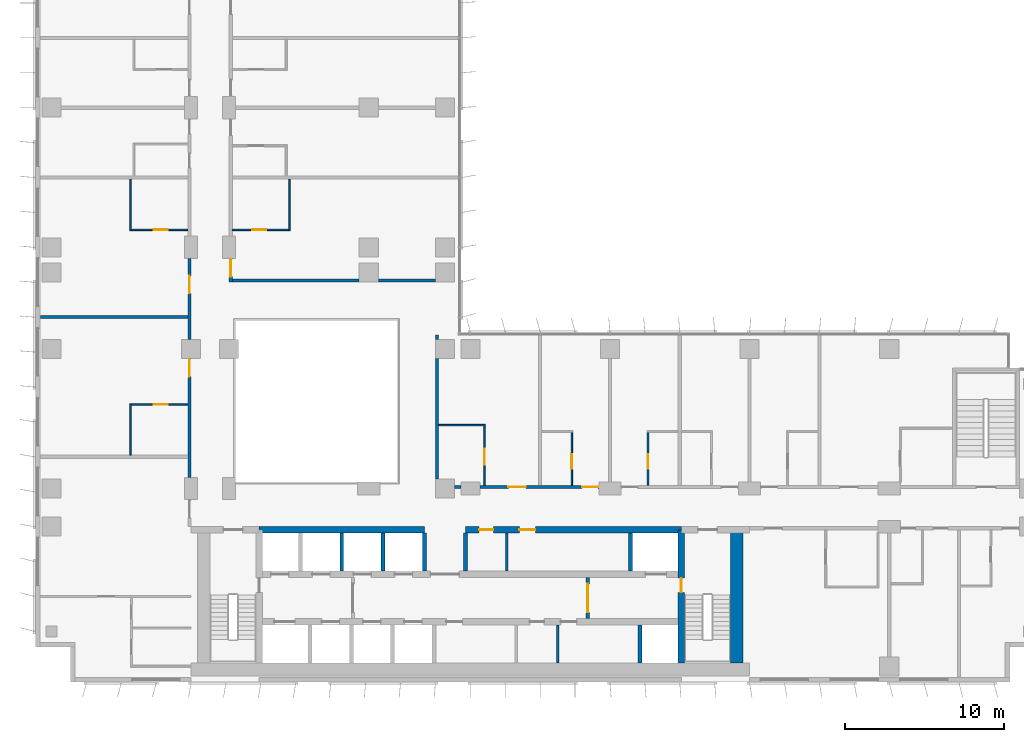
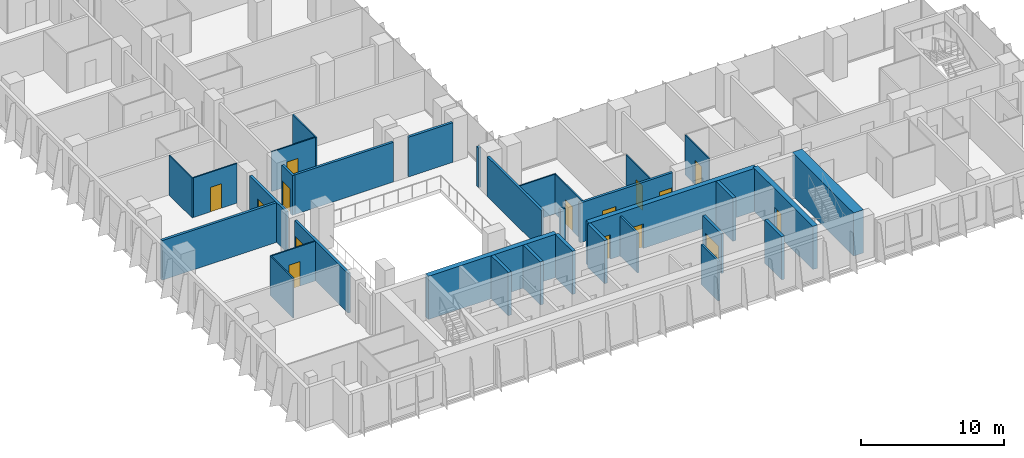
# One storey, part 13 of 23: 33 walls, 15 doors, 15 openings.
"""IFC4 building model written with IfcOpenShell, lengths in metres."""

from ifc_helpers import new_model, si_unit, direction, frame, frame_2d, origin, place, context, subcontext, project, spatial, rectangle, extrude, material, layer, layer_set, type_object, element, fill, save


model = new_model("IFC4")

# Units and contexts
model_context = context("Model", 3, precision=1e-05, world=origin(), true_north=direction((0.0, 1.0)))
body_context = subcontext(model_context, "Body", "Model", "MODEL_VIEW")
ifc_project = project(units=[si_unit("LENGTHUNIT", "METRE"), si_unit("AREAUNIT", "SQUARE_METRE"), si_unit("VOLUMEUNIT", "CUBIC_METRE"), si_unit("PLANEANGLEUNIT", "RADIAN"), si_unit("MASSUNIT", "GRAM", prefix="KILO")], contexts=[model_context])

# Site, building, storey
site_placement = place(None, origin())
site = spatial("IfcSite", under=ifc_project, at=site_placement, CompositionType="ELEMENT")
building_placement = place(site_placement, origin())
building = spatial("IfcBuilding", under=site, at=building_placement, Name="Kemantara Hotel Tower", CompositionType="ELEMENT")
storey_placement = place(building_placement, frame((0.0, 0.0, 142.0)))
storey = spatial("IfcBuildingStorey", under=building, at=storey_placement, Name="L34", CompositionType="ELEMENT", Elevation=142.0)

# Walls
ifc_material_1 = material(Name="Concrete fc 60 MPa", Category="concrete")
ifc_layer_1 = layer(ifc_material_1, 0.25)
ifc_layer_set_1 = layer_set([ifc_layer_1], Name="Concrete fc 60 MPa")
wall_type_1 = type_object("IfcWallType", Name="CORE WALL 250 FC60", PredefinedType="SHEAR", material=ifc_layer_set_1)
wall_1_placement = place(storey_placement, frame((38.10009765625, 1.199951171875, 0.0), z_axis=(0.0, 0.0, 1.0), x_axis=(0.0, 1.0, 0.0)))
element("IfcWall", 1, at=wall_1_placement, inside=storey, type_object=wall_type_1, Name="CORE WALL CW-DS38.1", PredefinedType="SHEAR", context=body_context, shape_type="SweptSolid", body=[
    extrude(rectangle(XDim=2.400146484375, YDim=0.25, at=frame_2d((1.2001953125, 0.0))), origin(), (0.0, 0.0, 1.0), 3.699951171875),
])
for number, where, z_axis, x_axis, name in (
    (2, (19.300048828125, 7.0, 0.0), (0.0, 0.0, 1.0), (0.0, 1.0, 0.0), "CORE WALL CW-DN19.3"),
    (3, (21.89990234375, 7.0, 0.0), (0.0, 0.0, 1.0), (0.0, 1.0, 0.0), "CORE WALL CW-DN21.9"),
    (4, (24.5, 7.0, 0.0), (0.0, 0.0, 1.0), (0.0, 1.0, 0.0), "CORE WALL CW-DN24.5"),
    (5, (27.10009765625, 7.0, 0.0), (0.0, 0.0, 1.0), (0.0, 1.0, 0.0), "CORE WALL CW-DN27.1"),
    (6, (37.5, 7.0, 0.0), (0.0, 0.0, 1.0), (0.0, 1.0, 0.0), "CORE WALL CW-DN37.5"),
):
    element("IfcWall", number, at=place(storey_placement, frame(where, z_axis=z_axis, x_axis=x_axis)), inside=storey, type_object=wall_type_1, Name=name, PredefinedType="SHEAR", context=body_context, shape_type="SweptSolid", body=[
        extrude(rectangle(XDim=2.39990234375, YDim=0.25, at=frame_2d((1.199951171875, 0.0))), origin(), (0.0, 0.0, 1.0), 3.699951171875),
    ])
ifc_layer_2 = layer(ifc_material_1, 0.39990234375)
ifc_layer_set_2 = layer_set([ifc_layer_2], Name="Concrete fc 60 MPa")
wall_type_2 = type_object("IfcWallType", Name="CORE WALL 400 FC60", PredefinedType="SHEAR", material=ifc_layer_set_2)
wall_2_placement = place(storey_placement, frame((14.10009765625, 9.60009765625, 0.0), z_axis=(0.0, 0.0, 1.0), x_axis=(1.0, 0.0, 0.0)))
element("IfcWall", 7, at=wall_2_placement, inside=storey, type_object=wall_type_2, Name="CORE WALL CW-NN1", PredefinedType="SHEAR", context=body_context, shape_type="SweptSolid", body=[
    extrude(rectangle(XDim=10.39990234375, YDim=0.39990234375, at=frame_2d((5.199951171875, 0.0))), origin(), (0.0, 0.0, 1.0), 3.699951171875),
])

# Wall, openings, doors
wall_3_placement = place(storey_placement, frame((27.10009765625, 9.60009765625, 0.0), z_axis=(0.0, 0.0, 1.0), x_axis=(1.0, 0.0, 0.0)))
wall_3 = element("IfcWall", 8, at=wall_3_placement, inside=storey, type_object=wall_type_2, Name="CORE WALL CW-NN2", PredefinedType="SHEAR", context=body_context, shape_type="SweptSolid", body=[
    extrude(rectangle(XDim=13.599853515625, YDim=0.39990234375, at=frame_2d((6.7998046875, 0.0))), origin(), (0.0, 0.0, 1.0), 3.699951171875),
])
opening_1_placement = place(wall_3_placement, frame((0.85009765625, 0.0, 0.0)))
opening_1 = element("IfcOpeningElement", 9, at=opening_1_placement, cuts=wall_3, Name="Opening C22-R-NE1", PredefinedType="OPENING", context=body_context, shape_type="SweptSolid", body=[
    extrude(rectangle(XDim=0.89990234375, YDim=2.10009765625, at=frame_2d((0.449951171875, 1.050048828125))), frame((0.0, 0.2099609375, 0.0), z_axis=(0.0, -1.0, 0.0), x_axis=(1.0, 0.0, 0.0)), (0.0, 0.0, 1.0), 0.419921875),
])
opening_2_placement = place(wall_3_placement, frame((3.39990234375, 0.0, 0.0)))
opening_2 = element("IfcOpeningElement", 10, at=opening_2_placement, cuts=wall_3, Name="Opening C22-R-NE2", PredefinedType="OPENING", context=body_context, shape_type="SweptSolid", body=[
    extrude(rectangle(XDim=1.0, YDim=2.10009765625, at=frame_2d((0.5, 1.050048828125))), frame((0.0, 0.2099609375, 0.0), z_axis=(0.0, -1.0, 0.0), x_axis=(1.0, 0.0, 0.0)), (0.0, 0.0, 1.0), 0.419921875),
])
ifc_material_2 = material(Name="Steel fire door", Category="steel")
door_type_1 = type_object("IfcDoorType", Name="Fire door FD30S 1000 x 2100", OperationType="NOTDEFINED", PredefinedType="DOOR", material=ifc_material_2)
door_1_placement = place(opening_2_placement, frame((1.0, 0.0, 0.0), z_axis=(0.0, 0.0, 1.0), x_axis=(-1.0, 0.0, 0.0)))
door_1 = element("IfcDoor", 11, at=door_1_placement, inside=storey, type_object=door_type_1, Name="Linen Store door", OperationType="SINGLE_SWING_RIGHT", OverallHeight=2.10009765625, OverallWidth=1.0, PredefinedType="DOOR", context=body_context, shape_type="SweptSolid", body=[
    extrude(rectangle(XDim=1.0, YDim=2.10009765625, at=frame_2d((0.5, 1.050048828125))), frame((0.0, 0.02490234375, 0.0), z_axis=(0.0, -1.0, 0.0), x_axis=(1.0, 0.0, 0.0)), (0.0, 0.0, 1.0), 0.050048828125),
])
fill(opening_2, door_1)
door_type_2 = type_object("IfcDoorType", Name="Fire door FD30S 900 x 2100", OperationType="NOTDEFINED", PredefinedType="DOOR", material=ifc_material_2)
door_2_placement = place(opening_1_placement, frame((0.89990234375, 0.0, 0.0), z_axis=(0.0, 0.0, 1.0), x_axis=(-1.0, 0.0, 0.0)))
door_2 = element("IfcDoor", 12, at=door_2_placement, inside=storey, type_object=door_type_2, Name="Staff Wc door", OperationType="SINGLE_SWING_RIGHT", OverallHeight=2.10009765625, OverallWidth=0.89990234375, PredefinedType="DOOR", context=body_context, shape_type="SweptSolid", body=[
    extrude(rectangle(XDim=0.89990234375, YDim=2.10009765625, at=frame_2d((0.449951171875, 1.050048828125))), frame((0.0, 0.02490234375, 0.0), z_axis=(0.0, -1.0, 0.0), x_axis=(1.0, 0.0, 0.0)), (0.0, 0.0, 1.0), 0.050048828125),
])
fill(opening_1, door_2)

# Wall, opening, door
wall_4_placement = place(storey_placement, frame((40.699951171875, 1.199951171875, 0.0), z_axis=(0.0, 0.0, 1.0), x_axis=(0.0, 1.0, 0.0)))
wall_4 = element("IfcWall", 13, at=wall_4_placement, inside=storey, type_object=wall_type_2, Name="CORE WALL CW-ST2W", PredefinedType="SHEAR", context=body_context, shape_type="SweptSolid", body=[
    extrude(rectangle(XDim=8.400146484375, YDim=0.39990234375, at=frame_2d((4.2001953125, 0.0))), origin(), (0.0, 0.0, 1.0), 3.699951171875),
])
opening_3_placement = place(wall_4_placement, frame((4.449951171875, 0.0, 0.0)))
opening_3 = element("IfcOpeningElement", 14, at=opening_3_placement, cuts=wall_4, Name="Opening C22-ST2-F", PredefinedType="OPENING", context=body_context, shape_type="SweptSolid", body=[
    extrude(rectangle(XDim=0.89990234375, YDim=2.10009765625, at=frame_2d((0.449951171875, 1.050048828125))), frame((0.0, 0.2099609375, 0.0), z_axis=(0.0, -1.0, 0.0), x_axis=(1.0, 0.0, 0.0)), (0.0, 0.0, 1.0), 0.419921875),
])
door_type_3 = type_object("IfcDoorType", Name="Fire door FD90 900 x 2100", OperationType="NOTDEFINED", PredefinedType="DOOR", material=ifc_material_2)
door_3_placement = place(opening_3_placement, frame((0.89990234375, 0.0, 0.0), z_axis=(0.0, 0.0, 1.0), x_axis=(-1.0, 0.0, 0.0)))
door_3 = element("IfcDoor", 15, at=door_3_placement, inside=storey, type_object=door_type_3, Name="Stair ST2 door to firefighting lobby", OperationType="SINGLE_SWING_LEFT", OverallHeight=2.10009765625, OverallWidth=0.89990234375, PredefinedType="DOOR", context=body_context, shape_type="SweptSolid", body=[
    extrude(rectangle(XDim=0.89990234375, YDim=2.10009765625, at=frame_2d((0.449951171875, 1.050048828125))), frame((0.0, 0.02490234375, 0.0), z_axis=(0.0, -1.0, 0.0), x_axis=(1.0, 0.0, 0.0)), (0.0, 0.0, 1.0), 0.050048828125),
])
fill(opening_3, door_3)

# Walls
ifc_layer_3 = layer(ifc_material_1, 0.800048828125)
ifc_layer_set_3 = layer_set([ifc_layer_3], Name="Concrete fc 60 MPa")
wall_type_3 = type_object("IfcWallType", Name="CORE WALL 800 FC60", PredefinedType="SHEAR", material=ifc_layer_set_3)
wall_5_placement = place(storey_placement, frame((44.199951171875, 1.199951171875, 0.0), z_axis=(0.0, 0.0, 1.0), x_axis=(0.0, 1.0, 0.0)))
element("IfcWall", 16, at=wall_5_placement, inside=storey, type_object=wall_type_3, Name="CORE WALL CW-E", PredefinedType="SHEAR", context=body_context, shape_type="SweptSolid", body=[
    extrude(rectangle(XDim=8.60009765625, YDim=0.800048828125, at=frame_2d((4.300048828125, 0.0))), origin(), (0.0, 0.0, 1.0), 3.699951171875),
])
ifc_material_3 = material(Name="Gypsum board partition, steel studs and mineral wool, 200 mm", Category="steel")
ifc_layer_4 = layer(ifc_material_3, 0.199951171875)
ifc_layer_set_4 = layer_set([ifc_layer_4], Name="Gypsum board partition, steel studs and mineral wool, 200 mm")
wall_type_4 = type_object("IfcWallType", Name="CORRIDOR WALL 200", PredefinedType="PARTITIONING", material=ifc_layer_set_4)
wall_6_placement = place(storey_placement, frame((26.400146484375, 12.300048828125, 0.0), z_axis=(0.0, 0.0, 1.0), x_axis=(1.0, 0.0, 0.0)))
element("IfcWall", 17, at=wall_6_placement, inside=storey, type_object=wall_type_4, Name="CORRIDOR WALL 200 005", PredefinedType="PARTITIONING", context=body_context, shape_type="SweptSolid", body=[
    extrude(rectangle(XDim=0.399658203125, YDim=0.199951171875, at=frame_2d((0.19970703125, 0.0))), origin(), (0.0, 0.0, 1.0), 3.39990234375),
])

# Wall, openings, doors
wall_7_placement = place(storey_placement, frame((28.0, 12.300048828125, 0.0), z_axis=(0.0, 0.0, 1.0), x_axis=(1.0, 0.0, 0.0)))
wall_7 = element("IfcWall", 18, at=wall_7_placement, inside=storey, type_object=wall_type_4, Name="CORRIDOR WALL 200 006", PredefinedType="PARTITIONING", context=body_context, shape_type="SweptSolid", body=[
    extrude(rectangle(XDim=7.5, YDim=0.199951171875, at=frame_2d((3.75, 0.0))), origin(), (0.0, 0.0, 1.0), 3.39990234375),
])
opening_4_placement = place(wall_7_placement, frame((1.7998046875, 0.0, 0.0)))
opening_4 = element("IfcOpeningElement", 19, at=opening_4_placement, cuts=wall_7, Name="Opening F15-007", PredefinedType="OPENING", context=body_context, shape_type="SweptSolid", body=[
    extrude(rectangle(XDim=1.10009765625, YDim=2.10009765625, at=frame_2d((0.550048828125, 1.050048828125))), frame((0.0, 0.10986328125, 0.0), z_axis=(0.0, -1.0, 0.0), x_axis=(1.0, 0.0, 0.0)), (0.0, 0.0, 1.0), 0.219970703125),
])
opening_5_placement = place(wall_7_placement, frame((6.449951171875, 0.0, 0.0)))
opening_5 = element("IfcOpeningElement", 20, at=opening_5_placement, cuts=wall_7, Name="Opening F15-009", PredefinedType="OPENING", context=body_context, shape_type="SweptSolid", body=[
    extrude(rectangle(XDim=1.0, YDim=2.10009765625, at=frame_2d((0.5, 1.050048828125))), frame((0.0, 0.10986328125, 0.0), z_axis=(0.0, -1.0, 0.0), x_axis=(1.0, 0.0, 0.0)), (0.0, 0.0, 1.0), 0.219970703125),
])
ifc_material_4 = material(Name="Hardwood veneer door leaf with steel frame", Category="steel")
door_type_4 = type_object("IfcDoorType", Name="GUEST ROOM DOOR 1000 X 2100 FD30S", OperationType="NOTDEFINED", PredefinedType="DOOR", material=ifc_material_4)
door_4_placement = place(opening_5_placement, origin())
door_4 = element("IfcDoor", 21, at=door_4_placement, inside=storey, type_object=door_type_4, Name="GUEST ROOM DOOR F15-009", OperationType="SINGLE_SWING_RIGHT", OverallHeight=2.10009765625, OverallWidth=1.0, PredefinedType="DOOR", context=body_context, shape_type="SweptSolid", body=[
    extrude(rectangle(XDim=1.0, YDim=2.10009765625, at=frame_2d((0.5, 1.050048828125))), frame((0.0, 0.02490234375, 0.0), z_axis=(0.0, -1.0, 0.0), x_axis=(1.0, 0.0, 0.0)), (0.0, 0.0, 1.0), 0.050048828125),
])
fill(opening_5, door_4)
door_type_5 = type_object("IfcDoorType", Name="GUEST ROOM DOOR 1100 X 2100 FD30S", OperationType="NOTDEFINED", PredefinedType="DOOR", material=ifc_material_4)
door_5_placement = place(opening_4_placement, origin())
door_5 = element("IfcDoor", 22, at=door_5_placement, inside=storey, type_object=door_type_5, Name="GUEST ROOM DOOR F15-007", OperationType="SINGLE_SWING_RIGHT", OverallHeight=2.10009765625, OverallWidth=1.10009765625, PredefinedType="DOOR", context=body_context, shape_type="SweptSolid", body=[
    extrude(rectangle(XDim=1.10009765625, YDim=2.10009765625, at=frame_2d((0.550048828125, 1.050048828125))), frame((0.0, 0.02490234375, 0.0), z_axis=(0.0, -1.0, 0.0), x_axis=(1.0, 0.0, 0.0)), (0.0, 0.0, 1.0), 0.050048828125),
])
fill(opening_4, door_5)

# Wall, opening, door
wall_8_placement = place(storey_placement, frame((9.699951171875, 12.900146484375, 0.0), z_axis=(0.0, 0.0, 1.0), x_axis=(0.0, 1.0, 0.0)))
wall_8 = element("IfcWall", 23, at=wall_8_placement, inside=storey, type_object=wall_type_4, Name="CORRIDOR WALL 200 018", PredefinedType="PARTITIONING", context=body_context, shape_type="SweptSolid", body=[
    extrude(rectangle(XDim=7.499755859375, YDim=0.199951171875, at=frame_2d((3.75, 0.0))), origin(), (0.0, 0.0, 1.0), 3.39990234375),
])
opening_6_placement = place(wall_8_placement, frame((6.349853515625, 0.0, 0.0)))
opening_6 = element("IfcOpeningElement", 24, at=opening_6_placement, cuts=wall_8, Name="Opening F15-023", PredefinedType="OPENING", context=body_context, shape_type="SweptSolid", body=[
    extrude(rectangle(XDim=1.10009765625, YDim=2.10009765625, at=frame_2d((0.550048828125, 1.050048828125))), frame((0.0, 0.10986328125, 0.0), z_axis=(0.0, -1.0, 0.0), x_axis=(1.0, 0.0, 0.0)), (0.0, 0.0, 1.0), 0.219970703125),
])
door_type_6 = type_object("IfcDoorType", Name="SUITE ENTRANCE DOOR 1100 X 2100 FD30S", OperationType="NOTDEFINED", PredefinedType="DOOR", material=ifc_material_4)
door_6_placement = place(opening_6_placement, origin())
door_6 = element("IfcDoor", 25, at=door_6_placement, inside=storey, type_object=door_type_6, Name="SUITE ENTRANCE DOOR F15-023", OperationType="SINGLE_SWING_RIGHT", OverallHeight=2.10009765625, OverallWidth=1.10009765625, PredefinedType="DOOR", context=body_context, shape_type="SweptSolid", body=[
    extrude(rectangle(XDim=1.10009765625, YDim=2.10009765625, at=frame_2d((0.550048828125, 1.050048828125))), frame((0.0, 0.02490234375, 0.0), z_axis=(0.0, -1.0, 0.0), x_axis=(1.0, 0.0, 0.0)), (0.0, 0.0, 1.0), 0.050048828125),
])
fill(opening_6, door_6)

wall_9_placement = place(storey_placement, frame((9.699951171875, 21.60009765625, 0.0), z_axis=(0.0, 0.0, 1.0), x_axis=(0.0, 1.0, 0.0)))
wall_9 = element("IfcWall", 26, at=wall_9_placement, inside=storey, type_object=wall_type_4, Name="CORRIDOR WALL 200 019", PredefinedType="PARTITIONING", context=body_context, shape_type="SweptSolid", body=[
    extrude(rectangle(XDim=5.099853515625, YDim=0.199951171875, at=frame_2d((2.5498046875, 0.0))), origin(), (0.0, 0.0, 1.0), 3.39990234375),
])
opening_7_placement = place(wall_9_placement, frame((2.89990234375, 0.0, 0.0)))
opening_7 = element("IfcOpeningElement", 27, at=opening_7_placement, cuts=wall_9, Name="Opening F15-025", PredefinedType="OPENING", context=body_context, shape_type="SweptSolid", body=[
    extrude(rectangle(XDim=1.10009765625, YDim=2.10009765625, at=frame_2d((0.550048828125, 1.050048828125))), frame((0.0, 0.10986328125, 0.0), z_axis=(0.0, -1.0, 0.0), x_axis=(1.0, 0.0, 0.0)), (0.0, 0.0, 1.0), 0.219970703125),
])
door_7_placement = place(opening_7_placement, origin())
door_7 = element("IfcDoor", 28, at=door_7_placement, inside=storey, type_object=door_type_6, Name="SUITE ENTRANCE DOOR F15-025", OperationType="SINGLE_SWING_LEFT", OverallHeight=2.10009765625, OverallWidth=1.10009765625, PredefinedType="DOOR", context=body_context, shape_type="SweptSolid", body=[
    extrude(rectangle(XDim=1.10009765625, YDim=2.10009765625, at=frame_2d((0.550048828125, 1.050048828125))), frame((0.0, 0.02490234375, 0.0), z_axis=(0.0, -1.0, 0.0), x_axis=(1.0, 0.0, 0.0)), (0.0, 0.0, 1.0), 0.050048828125),
])
fill(opening_7, door_7)

wall_10_placement = place(storey_placement, frame((12.300048828125, 26.699951171875, 0.0), z_axis=(0.0, 0.0, 1.0), x_axis=(0.0, -1.0, 0.0)))
wall_10 = element("IfcWall", 29, at=wall_10_placement, inside=storey, type_object=wall_type_4, Name="CORRIDOR WALL 200 039", PredefinedType="PARTITIONING", context=body_context, shape_type="SweptSolid", body=[
    extrude(rectangle(XDim=1.5, YDim=0.199951171875, at=frame_2d((0.75, 0.0))), origin(), (0.0, 0.0, 1.0), 3.39990234375),
])
opening_8_placement = place(wall_10_placement, frame((0.0498046875, 0.0, 0.0)))
opening_8 = element("IfcOpeningElement", 30, at=opening_8_placement, cuts=wall_10, Name="Opening F15-041", PredefinedType="OPENING", context=body_context, shape_type="SweptSolid", body=[
    extrude(rectangle(XDim=1.10009765625, YDim=2.10009765625, at=frame_2d((0.550048828125, 1.050048828125))), frame((0.0, 0.10986328125, 0.0), z_axis=(0.0, -1.0, 0.0), x_axis=(1.0, 0.0, 0.0)), (0.0, 0.0, 1.0), 0.219970703125),
])
door_8_placement = place(opening_8_placement, origin())
door_8 = element("IfcDoor", 31, at=door_8_placement, inside=storey, type_object=door_type_6, Name="SUITE ENTRANCE DOOR F15-041", OperationType="SINGLE_SWING_RIGHT", OverallHeight=2.10009765625, OverallWidth=1.10009765625, PredefinedType="DOOR", context=body_context, shape_type="SweptSolid", body=[
    extrude(rectangle(XDim=1.10009765625, YDim=2.10009765625, at=frame_2d((0.550048828125, 1.050048828125))), frame((0.0, 0.02490234375, 0.0), z_axis=(0.0, -1.0, 0.0), x_axis=(1.0, 0.0, 0.0)), (0.0, 0.0, 1.0), 0.050048828125),
])
fill(opening_8, door_8)

# Walls
ifc_layer_5 = layer(ifc_material_3, 0.199951171875)
ifc_layer_set_5 = layer_set([ifc_layer_5], Name="Gypsum board partition, steel studs and mineral wool, 200 mm")
wall_type_5 = type_object("IfcWallType", Name="GUEST ROOM PARTY WALL 200", PredefinedType="PARTITIONING", material=ifc_layer_set_5)
wall_11_placement = place(storey_placement, frame((25.300048828125, 12.800048828125, 0.0), z_axis=(0.0, 0.0, 1.0), x_axis=(0.0, 1.0, 0.0)))
element("IfcWall", 32, at=wall_11_placement, inside=storey, type_object=wall_type_5, Name="GUEST ROOM PARTY WALL 200 010", PredefinedType="PARTITIONING", context=body_context, shape_type="SweptSolid", body=[
    extrude(rectangle(XDim=7.599853515625, YDim=0.199951171875, at=frame_2d((3.7998046875, 0.0))), origin(), (0.0, 0.0, 1.0), 3.39990234375),
])
wall_12_placement = place(storey_placement, frame((25.300048828125, 21.60009765625, 0.0), z_axis=(0.0, 0.0, 1.0), x_axis=(0.0, 1.0, 0.0)))
element("IfcWall", 33, at=wall_12_placement, inside=storey, type_object=wall_type_5, Name="GUEST ROOM PARTY WALL 200 011", PredefinedType="PARTITIONING", context=body_context, shape_type="SweptSolid", body=[
    extrude(rectangle(XDim=0.27001953125, YDim=0.199951171875, at=frame_2d((0.135009765625, 0.0))), origin(), (0.0, 0.0, 1.0), 3.39990234375),
])
wall_13_placement = place(storey_placement, frame((0.31005859375, 23.0, 0.0), z_axis=(0.0, 0.0, 1.0), x_axis=(1.0, 0.0, 0.0)))
element("IfcWall", 34, at=wall_13_placement, inside=storey, type_object=wall_type_5, Name="GUEST ROOM PARTY WALL 200 027", PredefinedType="PARTITIONING", context=body_context, shape_type="SweptSolid", body=[
    extrude(rectangle(XDim=9.2900390625, YDim=0.199951171875, at=frame_2d((4.64501953125, 0.0))), origin(), (0.0, 0.0, 1.0), 3.39990234375),
])
wall_14_placement = place(storey_placement, frame((12.39990234375, 25.300048828125, 0.0), z_axis=(0.0, 0.0, 1.0), x_axis=(1.0, 0.0, 0.0)))
element("IfcWall", 35, at=wall_14_placement, inside=storey, type_object=wall_type_5, Name="GUEST ROOM PARTY WALL 200 046", PredefinedType="PARTITIONING", context=body_context, shape_type="SweptSolid", body=[
    extrude(rectangle(XDim=8.0, YDim=0.199951171875, at=frame_2d((4.0, 0.0))), origin(), (0.0, 0.0, 1.0), 3.39990234375),
])
wall_15_placement = place(storey_placement, frame((21.60009765625, 25.300048828125, 0.0), z_axis=(0.0, 0.0, 1.0), x_axis=(1.0, 0.0, 0.0)))
element("IfcWall", 36, at=wall_15_placement, inside=storey, type_object=wall_type_5, Name="GUEST ROOM PARTY WALL 200 047", PredefinedType="PARTITIONING", context=body_context, shape_type="SweptSolid", body=[
    extrude(rectangle(XDim=3.599853515625, YDim=0.199951171875, at=frame_2d((1.7998046875, 0.0))), origin(), (0.0, 0.0, 1.0), 3.39990234375),
])
ifc_material_5 = material(Name="Gypsum board partition")
ifc_layer_6 = layer(ifc_material_5, 0.14990234375)
ifc_layer_set_6 = layer_set([ifc_layer_6], Name="Gypsum board partition")
wall_type_6 = type_object("IfcWallType", Name="Gypsum board partition 150 mm", PredefinedType="PARTITIONING", material=ifc_layer_set_6)
wall_16_placement = place(storey_placement, frame((29.699951171875, 7.0, 0.0), z_axis=(0.0, 0.0, 1.0), x_axis=(0.0, 1.0, 0.0)))
element("IfcWall", 37, at=wall_16_placement, inside=storey, type_object=wall_type_6, Name="Core room partition", PredefinedType="PARTITIONING", context=body_context, shape_type="SweptSolid", body=[
    extrude(rectangle(XDim=2.39990234375, YDim=0.14990234375, at=frame_2d((1.199951171875, 0.0))), origin(), (0.0, 0.0, 1.0), 3.39990234375),
])
wall_17_placement = place(storey_placement, frame((32.89990234375, 1.199951171875, 0.0), z_axis=(0.0, 0.0, 1.0), x_axis=(0.0, 1.0, 0.0)))
element("IfcWall", 38, at=wall_17_placement, inside=storey, type_object=wall_type_6, Name="Core room partition", PredefinedType="PARTITIONING", context=body_context, shape_type="SweptSolid", body=[
    extrude(rectangle(XDim=2.400146484375, YDim=0.14990234375, at=frame_2d((1.2001953125, 0.0))), origin(), (0.0, 0.0, 1.0), 3.39990234375),
])

# Wall, opening, door
ifc_material_6 = material(Name="Gypsum board shaft wall")
ifc_layer_7 = layer(ifc_material_6, 0.199951171875)
ifc_layer_set_7 = layer_set([ifc_layer_7], Name="Gypsum board shaft wall")
wall_type_7 = type_object("IfcWallType", Name="Gypsum board shaft wall 200 mm", PredefinedType="PARTITIONING", material=ifc_layer_set_7)
wall_18_placement = place(storey_placement, frame((34.800048828125, 4.0, 0.0), z_axis=(0.0, 0.0, 1.0), x_axis=(0.0, 1.0, 0.0)))
wall_18 = element("IfcWall", 39, at=wall_18_placement, inside=storey, type_object=wall_type_7, Name="Firefighting lobby partition east", PredefinedType="PARTITIONING", context=body_context, shape_type="SweptSolid", body=[
    extrude(rectangle(XDim=2.60009765625, YDim=0.199951171875, at=frame_2d((1.300048828125, 0.0))), origin(), (0.0, 0.0, 1.0), 3.39990234375),
])
opening_9_placement = place(wall_18_placement, frame((0.39990234375, 0.0, 0.0)))
opening_9 = element("IfcOpeningElement", 40, at=opening_9_placement, cuts=wall_18, Name="Opening C22-FFE", PredefinedType="OPENING", context=body_context, shape_type="SweptSolid", body=[
    extrude(rectangle(XDim=1.800048828125, YDim=2.10009765625, at=frame_2d((0.89990234375, 1.050048828125))), frame((0.0, 0.10986328125, 0.0), z_axis=(0.0, -1.0, 0.0), x_axis=(1.0, 0.0, 0.0)), (0.0, 0.0, 1.0), 0.219970703125),
])
door_type_7 = type_object("IfcDoorType", Name="Fire door pair FD60 1800 x 2100", OperationType="DOUBLE_DOOR_SINGLE_SWING", PredefinedType="DOOR", material=ifc_material_2)
door_9_placement = place(opening_9_placement, frame((1.800048828125, 0.0, 0.0), z_axis=(0.0, 0.0, 1.0), x_axis=(-1.0, 0.0, 0.0)))
door_9 = element("IfcDoor", 41, at=door_9_placement, inside=storey, type_object=door_type_7, Name="Firefighting lobby door east", OperationType="DOUBLE_DOOR_SINGLE_SWING", OverallHeight=2.10009765625, OverallWidth=1.800048828125, PredefinedType="DOOR", context=body_context, shape_type="SweptSolid", body=[
    extrude(rectangle(XDim=1.800048828125, YDim=2.10009765625, at=frame_2d((0.89990234375, 1.050048828125))), frame((0.0, 0.02490234375, 0.0), z_axis=(0.0, -1.0, 0.0), x_axis=(1.0, 0.0, 0.0)), (0.0, 0.0, 1.0), 0.050048828125),
])
fill(opening_9, door_9)

# Wall
ifc_material_7 = material(Name="Gypsum board partition on steel studs, 100 mm", Category="steel")
ifc_layer_8 = layer(ifc_material_7, 0.10009765625)
ifc_layer_set_8 = layer_set([ifc_layer_8], Name="Gypsum board partition on steel studs, 100 mm")
wall_type_8 = type_object("IfcWallType", Name="ROOM PARTITION 100", PredefinedType="PARTITIONING", material=ifc_layer_set_8)
wall_19_placement = place(storey_placement, frame((25.39990234375, 16.199951171875, 0.0), z_axis=(0.0, 0.0, 1.0), x_axis=(1.0, 0.0, 0.0)))
element("IfcWall", 42, at=wall_19_placement, inside=storey, type_object=wall_type_8, Name="ROOM PARTITION 100 058", PredefinedType="PARTITIONING", context=body_context, shape_type="SweptSolid", body=[
    extrude(rectangle(XDim=2.9501953125, YDim=0.10009765625, at=frame_2d((1.47509765625, 0.0))), origin(), (0.0, 0.0, 1.0), 3.39990234375),
])

# Wall, opening, door
wall_20_placement = place(storey_placement, frame((28.300048828125, 12.39990234375, 0.0), z_axis=(0.0, 0.0, 1.0), x_axis=(0.0, 1.0, 0.0)))
wall_20 = element("IfcWall", 43, at=wall_20_placement, inside=storey, type_object=wall_type_8, Name="ROOM PARTITION 100 059", PredefinedType="PARTITIONING", context=body_context, shape_type="SweptSolid", body=[
    extrude(rectangle(XDim=3.75, YDim=0.10009765625, at=frame_2d((1.875, 0.0))), origin(), (0.0, 0.0, 1.0), 3.39990234375),
])
opening_10_placement = place(wall_20_placement, frame((1.300048828125, 0.0, 0.0)))
opening_10 = element("IfcOpeningElement", 44, at=opening_10_placement, cuts=wall_20, Name="Opening F15-008", PredefinedType="OPENING", context=body_context, shape_type="SweptSolid", body=[
    extrude(rectangle(XDim=1.0, YDim=2.10009765625, at=frame_2d((0.5, 1.050048828125))), frame((0.0, 0.06005859375, 0.0), z_axis=(0.0, -1.0, 0.0), x_axis=(1.0, 0.0, 0.0)), (0.0, 0.0, 1.0), 0.1201171875),
])
door_type_8 = type_object("IfcDoorType", Name="BATHROOM DOOR 1000 X 2100", OperationType="NOTDEFINED", PredefinedType="DOOR", material=ifc_material_4)
door_10_placement = place(opening_10_placement, origin())
door_10 = element("IfcDoor", 45, at=door_10_placement, inside=storey, type_object=door_type_8, Name="BATHROOM DOOR F15-008", OperationType="SINGLE_SWING_LEFT", OverallHeight=2.10009765625, OverallWidth=1.0, PredefinedType="DOOR", context=body_context, shape_type="SweptSolid", body=[
    extrude(rectangle(XDim=1.0, YDim=2.10009765625, at=frame_2d((0.5, 1.050048828125))), frame((0.0, 0.02490234375, 0.0), z_axis=(0.0, -1.0, 0.0), x_axis=(1.0, 0.0, 0.0)), (0.0, 0.0, 1.0), 0.050048828125),
])
fill(opening_10, door_10)

wall_21_placement = place(storey_placement, frame((33.800048828125, 12.39990234375, 0.0), z_axis=(0.0, 0.0, 1.0), x_axis=(0.0, 1.0, 0.0)))
wall_21 = element("IfcWall", 46, at=wall_21_placement, inside=storey, type_object=wall_type_8, Name="ROOM PARTITION 100 064", PredefinedType="PARTITIONING", context=body_context, shape_type="SweptSolid", body=[
    extrude(rectangle(XDim=3.35009765625, YDim=0.10009765625, at=frame_2d((1.675048828125, 0.0))), origin(), (0.0, 0.0, 1.0), 3.39990234375),
])
opening_11_placement = place(wall_21_placement, frame((1.050048828125, 0.0, 0.0)))
opening_11 = element("IfcOpeningElement", 47, at=opening_11_placement, cuts=wall_21, Name="Opening F15-010", PredefinedType="OPENING", context=body_context, shape_type="SweptSolid", body=[
    extrude(rectangle(XDim=0.89990234375, YDim=2.10009765625, at=frame_2d((0.449951171875, 1.050048828125))), frame((0.0, 0.06005859375, 0.0), z_axis=(0.0, -1.0, 0.0), x_axis=(1.0, 0.0, 0.0)), (0.0, 0.0, 1.0), 0.1201171875),
])
door_type_9 = type_object("IfcDoorType", Name="BATHROOM DOOR 900 X 2100", OperationType="NOTDEFINED", PredefinedType="DOOR", material=ifc_material_4)
door_11_placement = place(opening_11_placement, origin())
door_11 = element("IfcDoor", 48, at=door_11_placement, inside=storey, type_object=door_type_9, Name="BATHROOM DOOR F15-010", OperationType="SINGLE_SWING_LEFT", OverallHeight=2.10009765625, OverallWidth=0.89990234375, PredefinedType="DOOR", context=body_context, shape_type="SweptSolid", body=[
    extrude(rectangle(XDim=0.89990234375, YDim=2.10009765625, at=frame_2d((0.449951171875, 1.050048828125))), frame((0.0, 0.02490234375, 0.0), z_axis=(0.0, -1.0, 0.0), x_axis=(1.0, 0.0, 0.0)), (0.0, 0.0, 1.0), 0.050048828125),
])
fill(opening_11, door_11)

wall_22_placement = place(storey_placement, frame((38.60009765625, 15.75, 0.0), z_axis=(0.0, 0.0, 1.0), x_axis=(0.0, -1.0, 0.0)))
wall_22 = element("IfcWall", 49, at=wall_22_placement, inside=storey, type_object=wall_type_8, Name="ROOM PARTITION 100 065", PredefinedType="PARTITIONING", context=body_context, shape_type="SweptSolid", body=[
    extrude(rectangle(XDim=3.35009765625, YDim=0.10009765625, at=frame_2d((1.675048828125, 0.0))), origin(), (0.0, 0.0, 1.0), 3.39990234375),
])
opening_12_placement = place(wall_22_placement, frame((1.39990234375, 0.0, 0.0)))
opening_12 = element("IfcOpeningElement", 50, at=opening_12_placement, cuts=wall_22, Name="Opening F15-012", PredefinedType="OPENING", context=body_context, shape_type="SweptSolid", body=[
    extrude(rectangle(XDim=0.89990234375, YDim=2.10009765625, at=frame_2d((0.449951171875, 1.050048828125))), frame((0.0, 0.06005859375, 0.0), z_axis=(0.0, -1.0, 0.0), x_axis=(1.0, 0.0, 0.0)), (0.0, 0.0, 1.0), 0.1201171875),
])
door_12_placement = place(opening_12_placement, origin())
door_12 = element("IfcDoor", 51, at=door_12_placement, inside=storey, type_object=door_type_9, Name="BATHROOM DOOR F15-012", OperationType="SINGLE_SWING_RIGHT", OverallHeight=2.10009765625, OverallWidth=0.89990234375, PredefinedType="DOOR", context=body_context, shape_type="SweptSolid", body=[
    extrude(rectangle(XDim=0.89990234375, YDim=2.10009765625, at=frame_2d((0.449951171875, 1.050048828125))), frame((0.0, 0.02490234375, 0.0), z_axis=(0.0, -1.0, 0.0), x_axis=(1.0, 0.0, 0.0)), (0.0, 0.0, 1.0), 0.050048828125),
])
fill(opening_12, door_12)

# Walls
for number, where, z_axis, x_axis, name in (
    (52, (6.0, 14.300048828125, 0.0), (0.0, 0.0, 1.0), (0.0, 1.0, 0.0), "ROOM PARTITION 100 075"),
    (53, (6.0, 28.449951171875, 0.0), (0.0, 0.0, 1.0), (0.0, 1.0, 0.0), "ROOM PARTITION 100 076"),
):
    element("IfcWall", number, at=place(storey_placement, frame(where, z_axis=z_axis, x_axis=x_axis)), inside=storey, type_object=wall_type_8, Name=name, PredefinedType="PARTITIONING", context=body_context, shape_type="SweptSolid", body=[
        extrude(rectangle(XDim=3.25, YDim=0.10009765625, at=frame_2d((1.625, 0.0))), origin(), (0.0, 0.0, 1.0), 3.39990234375),
    ])

# Wall, opening, door
wall_23_placement = place(storey_placement, frame((9.60009765625, 17.5, 0.0), z_axis=(0.0, 0.0, 1.0), x_axis=(-1.0, 0.0, 0.0)))
wall_23 = element("IfcWall", 54, at=wall_23_placement, inside=storey, type_object=wall_type_8, Name="ROOM PARTITION 100 079", PredefinedType="PARTITIONING", context=body_context, shape_type="SweptSolid", body=[
    extrude(rectangle(XDim=3.550048828125, YDim=0.10009765625, at=frame_2d((1.77490234375, 0.0))), origin(), (0.0, 0.0, 1.0), 3.39990234375),
])
opening_13_placement = place(wall_23_placement, frame((1.25, 0.0, 0.0)))
opening_13 = element("IfcOpeningElement", 55, at=opening_13_placement, cuts=wall_23, Name="Opening F15-024", PredefinedType="OPENING", context=body_context, shape_type="SweptSolid", body=[
    extrude(rectangle(XDim=0.89990234375, YDim=2.10009765625, at=frame_2d((0.449951171875, 1.050048828125))), frame((0.0, 0.06005859375, 0.0), z_axis=(0.0, -1.0, 0.0), x_axis=(1.0, 0.0, 0.0)), (0.0, 0.0, 1.0), 0.1201171875),
])
door_13_placement = place(opening_13_placement, origin())
door_13 = element("IfcDoor", 56, at=door_13_placement, inside=storey, type_object=door_type_9, Name="BATHROOM DOOR F15-024", OperationType="SINGLE_SWING_LEFT", OverallHeight=2.10009765625, OverallWidth=0.89990234375, PredefinedType="DOOR", context=body_context, shape_type="SweptSolid", body=[
    extrude(rectangle(XDim=0.89990234375, YDim=2.10009765625, at=frame_2d((0.449951171875, 1.050048828125))), frame((0.0, 0.02490234375, 0.0), z_axis=(0.0, -1.0, 0.0), x_axis=(1.0, 0.0, 0.0)), (0.0, 0.0, 1.0), 0.050048828125),
])
fill(opening_13, door_13)

wall_24_placement = place(storey_placement, frame((6.050048828125, 28.5, 0.0), z_axis=(0.0, 0.0, 1.0), x_axis=(1.0, 0.0, 0.0)))
wall_24 = element("IfcWall", 57, at=wall_24_placement, inside=storey, type_object=wall_type_8, Name="ROOM PARTITION 100 080", PredefinedType="PARTITIONING", context=body_context, shape_type="SweptSolid", body=[
    extrude(rectangle(XDim=3.550048828125, YDim=0.10009765625, at=frame_2d((1.77490234375, 0.0))), origin(), (0.0, 0.0, 1.0), 3.39990234375),
])
opening_14_placement = place(wall_24_placement, frame((1.39990234375, 0.0, 0.0)))
opening_14 = element("IfcOpeningElement", 58, at=opening_14_placement, cuts=wall_24, Name="Opening F15-026", PredefinedType="OPENING", context=body_context, shape_type="SweptSolid", body=[
    extrude(rectangle(XDim=0.89990234375, YDim=2.10009765625, at=frame_2d((0.449951171875, 1.050048828125))), frame((0.0, 0.06005859375, 0.0), z_axis=(0.0, -1.0, 0.0), x_axis=(1.0, 0.0, 0.0)), (0.0, 0.0, 1.0), 0.1201171875),
])
door_14_placement = place(opening_14_placement, origin())
door_14 = element("IfcDoor", 59, at=door_14_placement, inside=storey, type_object=door_type_9, Name="BATHROOM DOOR F15-026", OperationType="SINGLE_SWING_RIGHT", OverallHeight=2.10009765625, OverallWidth=0.89990234375, PredefinedType="DOOR", context=body_context, shape_type="SweptSolid", body=[
    extrude(rectangle(XDim=0.89990234375, YDim=2.10009765625, at=frame_2d((0.449951171875, 1.050048828125))), frame((0.0, 0.02490234375, 0.0), z_axis=(0.0, -1.0, 0.0), x_axis=(1.0, 0.0, 0.0)), (0.0, 0.0, 1.0), 0.050048828125),
])
fill(opening_14, door_14)

wall_25_placement = place(storey_placement, frame((12.39990234375, 28.5, 0.0), z_axis=(0.0, 0.0, 1.0), x_axis=(1.0, 0.0, 0.0)))
wall_25 = element("IfcWall", 60, at=wall_25_placement, inside=storey, type_object=wall_type_8, Name="ROOM PARTITION 100 081", PredefinedType="PARTITIONING", context=body_context, shape_type="SweptSolid", body=[
    extrude(rectangle(XDim=3.550048828125, YDim=0.10009765625, at=frame_2d((1.77490234375, 0.0))), origin(), (0.0, 0.0, 1.0), 3.39990234375),
])
opening_15_placement = place(wall_25_placement, frame((1.25, 0.0, 0.0)))
opening_15 = element("IfcOpeningElement", 61, at=opening_15_placement, cuts=wall_25, Name="Opening F15-042", PredefinedType="OPENING", context=body_context, shape_type="SweptSolid", body=[
    extrude(rectangle(XDim=0.89990234375, YDim=2.10009765625, at=frame_2d((0.449951171875, 1.050048828125))), frame((0.0, 0.06005859375, 0.0), z_axis=(0.0, -1.0, 0.0), x_axis=(1.0, 0.0, 0.0)), (0.0, 0.0, 1.0), 0.1201171875),
])
door_15_placement = place(opening_15_placement, origin())
door_15 = element("IfcDoor", 62, at=door_15_placement, inside=storey, type_object=door_type_9, Name="BATHROOM DOOR F15-042", OperationType="SINGLE_SWING_LEFT", OverallHeight=2.10009765625, OverallWidth=0.89990234375, PredefinedType="DOOR", context=body_context, shape_type="SweptSolid", body=[
    extrude(rectangle(XDim=0.89990234375, YDim=2.10009765625, at=frame_2d((0.449951171875, 1.050048828125))), frame((0.0, 0.02490234375, 0.0), z_axis=(0.0, -1.0, 0.0), x_axis=(1.0, 0.0, 0.0)), (0.0, 0.0, 1.0), 0.050048828125),
])
fill(opening_15, door_15)

# Wall
wall_26_placement = place(storey_placement, frame((16.0, 28.449951171875, 0.0), z_axis=(0.0, 0.0, 1.0), x_axis=(0.0, 1.0, 0.0)))
element("IfcWall", 63, at=wall_26_placement, inside=storey, type_object=wall_type_8, Name="ROOM PARTITION 100 095", PredefinedType="PARTITIONING", context=body_context, shape_type="SweptSolid", body=[
    extrude(rectangle(XDim=3.25, YDim=0.10009765625, at=frame_2d((1.625, 0.0))), origin(), (0.0, 0.0, 1.0), 3.39990234375),
])

save(model, "model.ifc")
